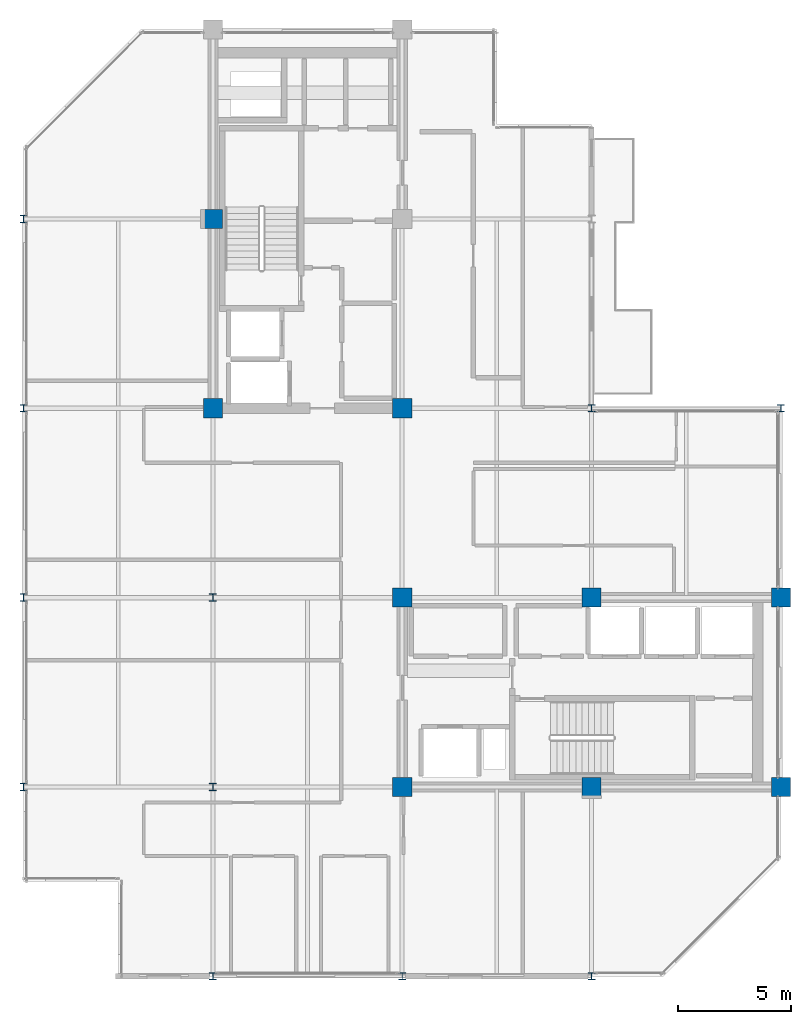
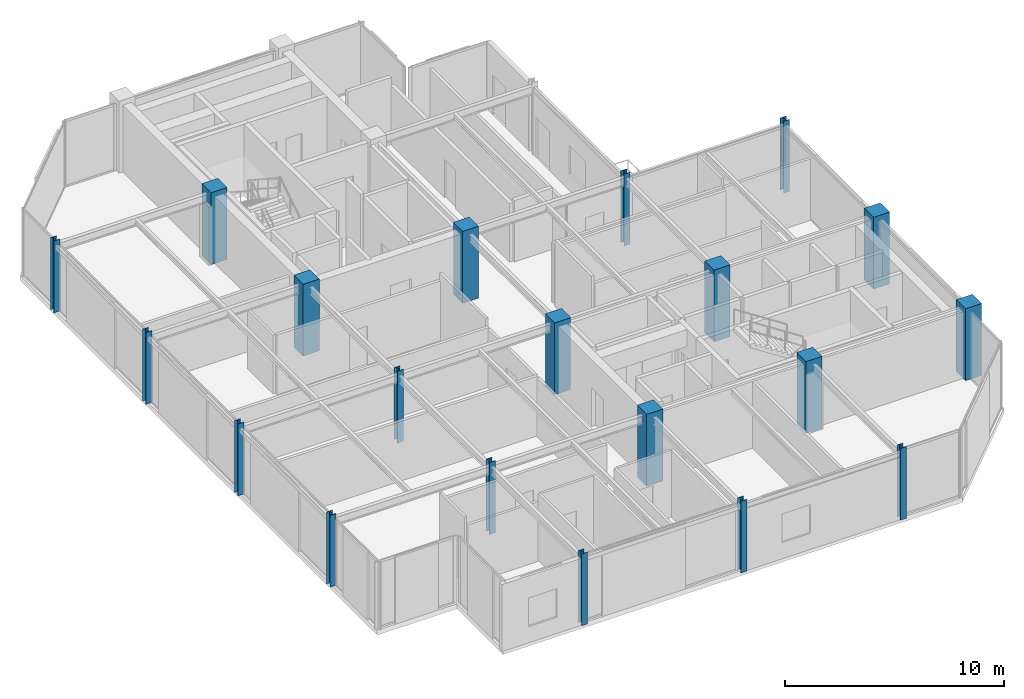
# One storey, part 1 of 24: 20 columns.
"""IFC4 building model written with IfcOpenShell, lengths in metres."""

from ifc_helpers import new_model, si_unit, direction, frame, origin, origin_2d, place, context, subcontext, project, spatial, rectangle, i_section, extrude, material, material_profile, profile_set, type_object, element, save


model = new_model("IFC4")

# Units and contexts
model_context = context("Model", 3, precision=1e-05, world=origin(), true_north=direction((0.0, 1.0)))
body_context = subcontext(model_context, "Body", "Model", "MODEL_VIEW")
ifc_project = project(units=[si_unit("LENGTHUNIT", "METRE"), si_unit("AREAUNIT", "SQUARE_METRE"), si_unit("VOLUMEUNIT", "CUBIC_METRE"), si_unit("PLANEANGLEUNIT", "RADIAN"), si_unit("MASSUNIT", "GRAM", prefix="KILO")], contexts=[model_context])

# Site, building, storey
site_placement = place(None, origin())
site = spatial("IfcSite", under=ifc_project, at=site_placement, CompositionType="ELEMENT")
building_placement = place(site_placement, origin())
building = spatial("IfcBuilding", under=site, at=building_placement, Name="Nerrivon Quay Data Exchange", CompositionType="ELEMENT")
storey_placement = place(building_placement, frame((0.0, 0.0, 298.199951171875)))
storey = spatial("IfcBuildingStorey", under=building, at=storey_placement, Name="L71", CompositionType="ELEMENT", Elevation=298.199951171875)

# Columns
ifc_material_1 = material(Name="Concrete N50 (50 MPa)", Category="concrete")
ifc_material_profile_1 = material_profile(ifc_material_1, rectangle(XDim=0.85009765625, YDim=0.85009765625, at=origin_2d()), Name="RC-COL-850x850")
ifc_profile_set_1 = profile_set([ifc_material_profile_1], Name="Concrete N50 (50 MPa)")
column_type_1 = type_object("IfcColumnType", Name="COL-C5-850", PredefinedType="COLUMN", material=ifc_profile_set_1)
for number, where, z_axis, x_axis, name in (
    (1, (8.39990234375, 25.199951171875, 0.0), (0.0, 0.0, 1.0), (1.0, 0.0, 0.0), "L71 Column (8.4,25.2)"),
    (2, (8.39990234375, 33.60009765625, 0.0), (0.0, 0.0, 1.0), (1.0, 0.0, 0.0), "L71 Column (8.4,33.6)"),
    (3, (16.800048828125, 8.39990234375, 0.0), (0.0, 0.0, 1.0), (1.0, 0.0, 0.0), "L71 Column (16.8,8.4)"),
    (4, (16.800048828125, 16.800048828125, 0.0), (0.0, 0.0, 1.0), (1.0, 0.0, 0.0), "L71 Column (16.8,16.8)"),
    (5, (16.800048828125, 25.199951171875, 0.0), (0.0, 0.0, 1.0), (1.0, 0.0, 0.0), "L71 Column (16.8,25.2)"),
    (6, (25.199951171875, 8.39990234375, 0.0), (0.0, 0.0, 1.0), (1.0, 0.0, 0.0), "L71 Column (25.2,8.4)"),
    (7, (25.199951171875, 16.800048828125, 0.0), (0.0, 0.0, 1.0), (1.0, 0.0, 0.0), "L71 Column (25.2,16.8)"),
    (8, (33.60009765625, 8.39990234375, 0.0), (0.0, 0.0, 1.0), (1.0, 0.0, 0.0), "L71 Column (33.6,8.4)"),
    (9, (33.60009765625, 16.800048828125, 0.0), (0.0, 0.0, 1.0), (1.0, 0.0, 0.0), "L71 Column (33.6,16.8)"),
):
    element("IfcColumn", number, at=place(storey_placement, frame(where, z_axis=z_axis, x_axis=x_axis)), inside=storey, type_object=column_type_1, Name=name, PredefinedType="COLUMN", context=body_context, shape_type="SweptSolid", body=[
        extrude(rectangle(XDim=0.85009765625, YDim=0.85009765625, at=origin_2d()), origin(), (0.0, 0.0, 1.0), 4.0),
    ])
ifc_material_2 = material(Name="Steel Grade 350", Category="steel")
ifc_material_profile_2 = material_profile(ifc_material_2, i_section(OverallWidth=0.31103515625, OverallDepth=0.326904296875, WebThickness=0.015625, FlangeThickness=0.02490234375, FilletRadius=0.0166015625, at=origin_2d()), Name="310UC158")
ifc_profile_set_2 = profile_set([ifc_material_profile_2], Name="Steel Grade 350")
column_type_2 = type_object("IfcColumnType", Name="COL-SC4-310UC158", PredefinedType="COLUMN", material=ifc_profile_set_2)
for number, where, z_axis, x_axis, name in (
    (10, (0.0, 8.39990234375, 0.0), (0.0, 0.0, 1.0), (1.0, 0.0, 0.0), "L71 Column (0.0,8.4)"),
    (11, (0.0, 16.800048828125, 0.0), (0.0, 0.0, 1.0), (1.0, 0.0, 0.0), "L71 Column (0.0,16.8)"),
    (12, (0.0, 25.199951171875, 0.0), (0.0, 0.0, 1.0), (1.0, 0.0, 0.0), "L71 Column (0.0,25.2)"),
    (13, (0.0, 33.60009765625, 0.0), (0.0, 0.0, 1.0), (1.0, 0.0, 0.0), "L71 Column (0.0,33.6)"),
    (14, (8.39990234375, 0.0, 0.0), (0.0, 0.0, 1.0), (1.0, 0.0, 0.0), "L71 Column (8.4,0.0)"),
    (15, (8.39990234375, 8.39990234375, 0.0), (0.0, 0.0, 1.0), (1.0, 0.0, 0.0), "L71 Column (8.4,8.4)"),
    (16, (8.39990234375, 16.800048828125, 0.0), (0.0, 0.0, 1.0), (1.0, 0.0, 0.0), "L71 Column (8.4,16.8)"),
    (17, (16.800048828125, 0.0, 0.0), (0.0, 0.0, 1.0), (1.0, 0.0, 0.0), "L71 Column (16.8,0.0)"),
    (18, (25.199951171875, 0.0, 0.0), (0.0, 0.0, 1.0), (1.0, 0.0, 0.0), "L71 Column (25.2,0.0)"),
    (19, (25.199951171875, 25.199951171875, 0.0), (0.0, 0.0, 1.0), (1.0, 0.0, 0.0), "L71 Column (25.2,25.2)"),
    (20, (33.60009765625, 25.199951171875, 0.0), (0.0, 0.0, 1.0), (1.0, 0.0, 0.0), "L71 Column (33.6,25.2)"),
):
    element("IfcColumn", number, at=place(storey_placement, frame(where, z_axis=z_axis, x_axis=x_axis)), inside=storey, type_object=column_type_2, Name=name, PredefinedType="COLUMN", context=body_context, shape_type="SweptSolid", body=[
        extrude(i_section(OverallWidth=0.31103515625, OverallDepth=0.326904296875, WebThickness=0.015625, FlangeThickness=0.02490234375, FilletRadius=0.0166015625, at=origin_2d()), origin(), (0.0, 0.0, 1.0), 4.0),
    ])

save(model, "model.ifc")
